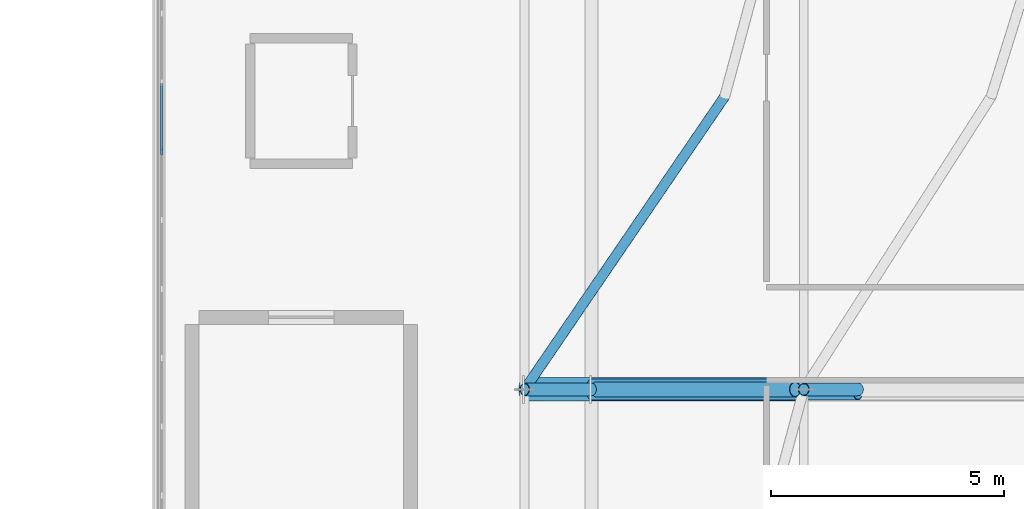
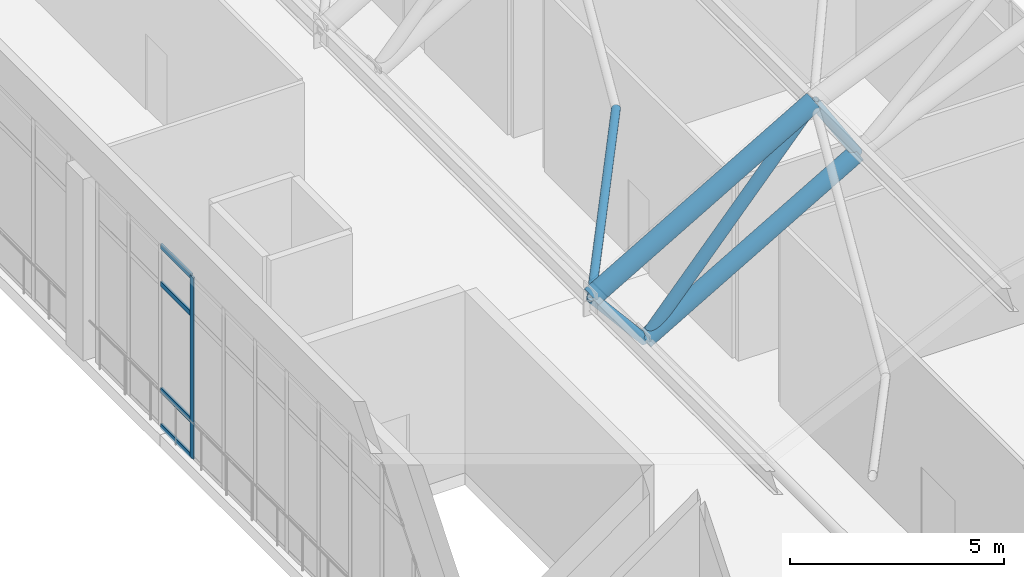
# One storey, part 7 of 42: 11 members, 1 element without a shape of its own.
"""IFC4 building model written with IfcOpenShell, lengths in metres."""

from ifc_helpers import new_model, si_unit, derived_unit, direction, frame, origin, origin_2d, place, context, subcontext, project, spatial, rectangle, hollow_circle, extrude, material, layer, layer_set, material_profile, profile_set, type_object, element, aggregate, save


model = new_model("IFC4")

# Units and contexts
model_context = context("Model", 3, precision=1e-05, world=origin(), true_north=direction((0.0, 1.0)))
body_context = subcontext(model_context, "Body", "Model", "MODEL_VIEW")
ifc_project = project(units=[si_unit("LENGTHUNIT", "METRE"), si_unit("AREAUNIT", "SQUARE_METRE"), si_unit("VOLUMEUNIT", "CUBIC_METRE"), si_unit("PLANEANGLEUNIT", "RADIAN"), si_unit("MASSUNIT", "GRAM", prefix="KILO"), derived_unit("THERMALTRANSMITTANCEUNIT", [(si_unit("MASSUNIT", "GRAM", prefix="KILO"), 1), (si_unit("TIMEUNIT", "SECOND"), -3), (si_unit("THERMODYNAMICTEMPERATUREUNIT", "KELVIN"), -1)])], contexts=[model_context])

# Site, building, storey
site_placement = place(None, origin())
site = spatial("IfcSite", under=ifc_project, at=site_placement, CompositionType="ELEMENT")
building_placement = place(site_placement, origin())
building = spatial("IfcBuilding", under=site, at=building_placement, Name="Valcora Ridge Arena", CompositionType="ELEMENT")
storey_placement = place(building_placement, frame((0.0, 0.0, 26.39990234375)))
storey = spatial("IfcBuildingStorey", under=building, at=storey_placement, Name="L05", CompositionType="ELEMENT", Elevation=26.39990234375)

# Curtain wall, members
ifc_material_1 = material(Name="Anodised dark bronze architectural aluminium 6063-T6", Category="aluminium")
ifc_layer = layer(ifc_material_1, 0.14990234375, Name="Anodised dark bronze architectural aluminium 6063-T6")
ifc_layer_set = layer_set([ifc_layer], Name="Anodised dark bronze architectural aluminium 6063-T6")
curtain_wall_type = type_object("IfcCurtainWallType", Name="TY-CURTAINWALL-CW-V1-SKY-207X52", PredefinedType="NOTDEFINED", material=ifc_layer_set)
curtain_wall_placement = place(storey_placement, origin())
curtain_wall = element("IfcCurtainWall", 1, at=curtain_wall_placement, inside=storey, type_object=curtain_wall_type, Name="CW-V1-SKY-207X52 CW-0165", PredefinedType="NOTDEFINED")
ifc_material_profile_1 = material_profile(ifc_material_1, rectangle(XDim=0.050048828125, YDim=0.14990234375, at=origin_2d()), Name="ALU MULLION 50x150")
ifc_profile_set_1 = profile_set([ifc_material_profile_1], Name="Anodised dark bronze architectural aluminium 6063-T6")
member_type_1 = type_object("IfcMemberType", Name="TY-MEM-CWM-50x150", PredefinedType="MULLION", material=ifc_profile_set_1)
member_1_placement = place(storey_placement, frame((16.199951171875, 62.919921875, 0.0), z_axis=(0.0, 0.0, 1.0), x_axis=(-1.0, 0.0, 0.0)))
member_1 = element("IfcMember", 2, at=member_1_placement, type_object=member_type_1, Name="CW-0165/CWM-50x150/M11", PredefinedType="MULLION", context=body_context, shape_type="SweptSolid", body=[
    extrude(rectangle(XDim=0.050048828125, YDim=0.14990234375, at=origin_2d()), origin(), (0.0, 0.0, 1.0), 5.18017578125),
])
ifc_material_profile_2 = material_profile(ifc_material_1, rectangle(XDim=0.050048828125, YDim=0.14990234375, at=origin_2d()), Name="ALU TRANSOM 50x150")
ifc_profile_set_2 = profile_set([ifc_material_profile_2], Name="Anodised dark bronze architectural aluminium 6063-T6")
member_type_2 = type_object("IfcMemberType", Name="TY-MEM-CWT-50x150", PredefinedType="USERDEFINED", material=ifc_profile_set_2)
member_2_placement = place(storey_placement, frame((16.199951171875, 62.945068359375, 0.025146484375), z_axis=(0.0, 1.0, 0.0), x_axis=(-1.0, 0.0, 0.0)))
member_2 = element("IfcMember", 3, at=member_2_placement, type_object=member_type_2, Name="CW-0165/CWT-50x150/T11-00", ObjectType="TRANSOM", PredefinedType="USERDEFINED", context=body_context, shape_type="SweptSolid", body=[
    extrude(rectangle(XDim=0.050048828125, YDim=0.14990234375, at=origin_2d()), origin(), (0.0, 0.0, 1.0), 1.429931640625),
])
member_3_placement = place(storey_placement, frame((16.199951171875, 62.945068359375, 1.050048828125), z_axis=(0.0, 1.0, 0.0), x_axis=(-1.0, 0.0, 0.0)))
member_3 = element("IfcMember", 4, at=member_3_placement, type_object=member_type_2, Name="CW-0165/CWT-50x150/T11-01", ObjectType="TRANSOM", PredefinedType="USERDEFINED", context=body_context, shape_type="SweptSolid", body=[
    extrude(rectangle(XDim=0.050048828125, YDim=0.14990234375, at=origin_2d()), origin(), (0.0, 0.0, 1.0), 1.429931640625),
])
member_4_placement = place(storey_placement, frame((16.199951171875, 62.945068359375, 4.080078125), z_axis=(0.0, 1.0, 0.0), x_axis=(-1.0, 0.0, 0.0)))
member_4 = element("IfcMember", 5, at=member_4_placement, type_object=member_type_2, Name="CW-0165/CWT-50x150/T11-02", ObjectType="TRANSOM", PredefinedType="USERDEFINED", context=body_context, shape_type="SweptSolid", body=[
    extrude(rectangle(XDim=0.050048828125, YDim=0.14990234375, at=origin_2d()), origin(), (0.0, 0.0, 1.0), 1.429931640625),
])
member_5_placement = place(storey_placement, frame((16.199951171875, 62.945068359375, 5.155029296875), z_axis=(0.0, 1.0, 0.0), x_axis=(-1.0, 0.0, 0.0)))
member_5 = element("IfcMember", 6, at=member_5_placement, type_object=member_type_2, Name="CW-0165/CWT-50x150/T11-03", ObjectType="TRANSOM", PredefinedType="USERDEFINED", context=body_context, shape_type="SweptSolid", body=[
    extrude(rectangle(XDim=0.050048828125, YDim=0.14990234375, at=origin_2d()), origin(), (0.0, 0.0, 1.0), 1.429931640625),
])
aggregate(curtain_wall, [member_1, member_2, member_3, member_4, member_5])

# Members
ifc_material_2 = material(Name="Steel ASTM A500 Grade C", Category="steel")
ifc_material_profile_3 = material_profile(ifc_material_2, hollow_circle(Radius=0.228515625, WallThickness=0.01611328125, at=origin_2d()), Name="CHS457X16")
ifc_profile_set_3 = profile_set([ifc_material_profile_3], Name="Steel ASTM A500 Grade C")
member_type_3 = type_object("IfcMemberType", Name="TY-MEMBER-SFBC-457", PredefinedType="CHORD", material=ifc_profile_set_3)
member_6_placement = place(storey_placement, frame((25.438232421875, 57.800048828125, 3.234130859375), z_axis=(0.864898384633, 0.0, 0.501946993476), x_axis=(0.0, 1.0, 0.0)))
element("IfcMember", 7, at=member_6_placement, inside=storey, type_object=member_type_3, Name="SFBC-457 Space Frame Bottom Chord", PredefinedType="CHORD", context=body_context, shape_type="SweptSolid", body=[
    extrude(hollow_circle(Radius=0.228515625, WallThickness=0.01611328125, at=origin_2d()), origin(), (0.0, 0.0, 1.0), 6.62353515625),
])
ifc_material_profile_4 = material_profile(ifc_material_2, hollow_circle(Radius=0.136474609375, WallThickness=0.012451171875, at=origin_2d()), Name="CHS273X12")
ifc_profile_set_4 = profile_set([ifc_material_profile_4], Name="Steel ASTM A500 Grade C")
member_type_4 = type_object("IfcMemberType", Name="TY-MEMBER-SFKP-273", PredefinedType="POST", material=ifc_profile_set_4)
member_7_placement = place(storey_placement, frame((25.438232421875, 57.800048828125, 3.234130859375), z_axis=(-0.642337596391, 0.0, 0.766421823974), x_axis=(0.0, -1.0, 0.0)))
element("IfcMember", 8, at=member_7_placement, inside=storey, type_object=member_type_4, Name="SFKP-273 Space Frame King Post", PredefinedType="POST", context=body_context, shape_type="SweptSolid", body=[
    extrude(hollow_circle(Radius=0.136474609375, WallThickness=0.012451171875, at=origin_2d()), origin(), (0.0, 0.0, 1.0), 2.239013671875),
])
member_8_placement = place(storey_placement, frame((31.1669921875, 57.800048828125, 6.558837890625), z_axis=(-0.528755468485, 0.0, 0.848774207047), x_axis=(0.0, -1.0, 0.0)))
element("IfcMember", 9, at=member_8_placement, inside=storey, type_object=member_type_4, Name="SFKP-273 Space Frame King Post", PredefinedType="POST", context=body_context, shape_type="SweptSolid", body=[
    extrude(hollow_circle(Radius=0.136474609375, WallThickness=0.012451171875, at=origin_2d()), origin(), (0.0, 0.0, 1.0), 2.20703125),
])
ifc_material_profile_5 = material_profile(ifc_material_2, hollow_circle(Radius=0.109619140625, WallThickness=0.010009765625, at=origin_2d()), Name="CHS219X10")
ifc_profile_set_5 = profile_set([ifc_material_profile_5], Name="Steel ASTM A500 Grade C")
member_type_5 = type_object("IfcMemberType", Name="TY-MEMBER-SFST-219", PredefinedType="STRUT", material=ifc_profile_set_5)
member_9_placement = place(storey_placement, frame((28.302734375, 64.10009765625, 5.01220703125), z_axis=(-0.563966435839, -0.825757709761, -0.008127977457), x_axis=(0.825784987548, -0.563985065706, 0.0)))
element("IfcMember", 10, at=member_9_placement, inside=storey, type_object=member_type_5, Name="SFST-219 Space Frame Tie Strut", PredefinedType="STRUT", context=body_context, shape_type="SweptSolid", body=[
    extrude(hollow_circle(Radius=0.109619140625, WallThickness=0.010009765625, at=origin_2d()), origin(), (0.0, 0.0, 1.0), 7.62939453125),
])
ifc_material_profile_6 = material_profile(ifc_material_2, hollow_circle(Radius=0.25390625, WallThickness=0.01611328125, at=origin_2d()), Name="CHS508X16")
ifc_profile_set_6 = profile_set([ifc_material_profile_6], Name="Steel ASTM A500 Grade C")
member_type_6 = type_object("IfcMemberType", Name="TY-MEMBER-SFTC-508", PredefinedType="CHORD", material=ifc_profile_set_6)
member_10_placement = place(storey_placement, frame((24.0, 57.800048828125, 4.9501953125), z_axis=(0.864910194439, 0.0, 0.501926643599), x_axis=(0.0, 1.0, 0.0)))
element("IfcMember", 11, at=member_10_placement, inside=storey, type_object=member_type_6, Name="SFTC-508 Space Frame Top Chord", PredefinedType="CHORD", context=body_context, shape_type="SweptSolid", body=[
    extrude(hollow_circle(Radius=0.25390625, WallThickness=0.01611328125, at=origin_2d()), origin(), (0.0, 0.0, 1.0), 6.937255859375),
])
ifc_material_profile_7 = material_profile(ifc_material_2, hollow_circle(Radius=0.161865234375, WallThickness=0.012451171875, at=origin_2d()), Name="CHS323X12")
ifc_profile_set_7 = profile_set([ifc_material_profile_7], Name="Steel ASTM A500 Grade C")
member_type_7 = type_object("IfcMemberType", Name="TY-MEMBER-SFWB-323", PredefinedType="BRACE", material=ifc_profile_set_7)
member_11_placement = place(storey_placement, frame((25.543701171875, 57.800048828125, 3.3544921875), z_axis=(0.659614231512, 0.0, 0.751604327813), x_axis=(0.0, 1.0, 0.0)))
element("IfcMember", 12, at=member_11_placement, inside=storey, type_object=member_type_7, Name="SFWB-323 Space Frame Diagonal Brace", PredefinedType="BRACE", context=body_context, shape_type="SweptSolid", body=[
    extrude(hollow_circle(Radius=0.161865234375, WallThickness=0.012451171875, at=origin_2d()), origin(), (0.0, 0.0, 1.0), 6.475830078125),
])

save(model, "model.ifc")
